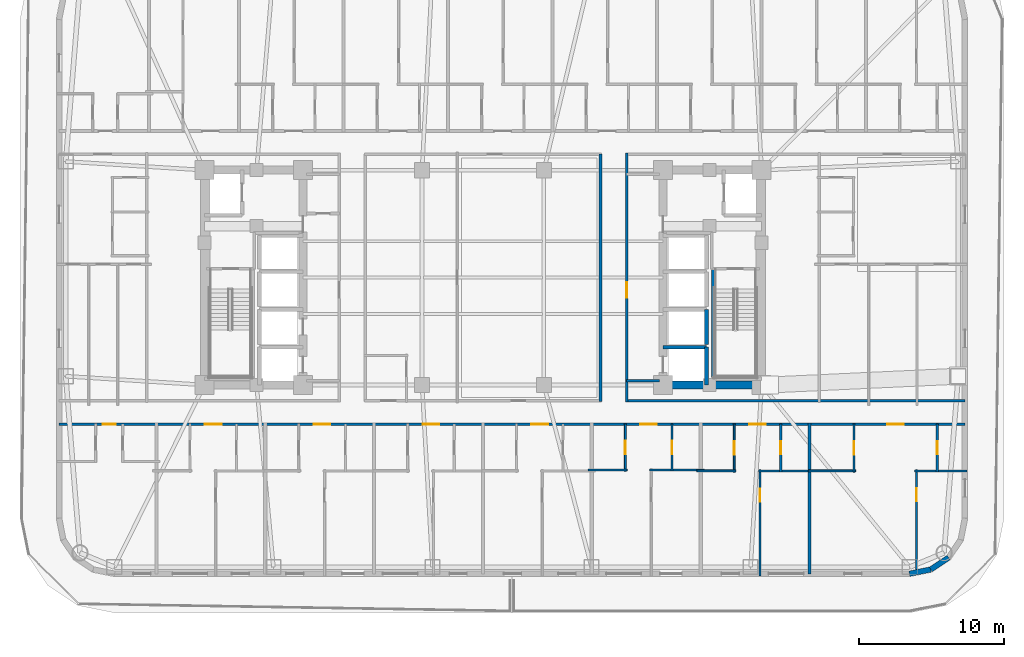
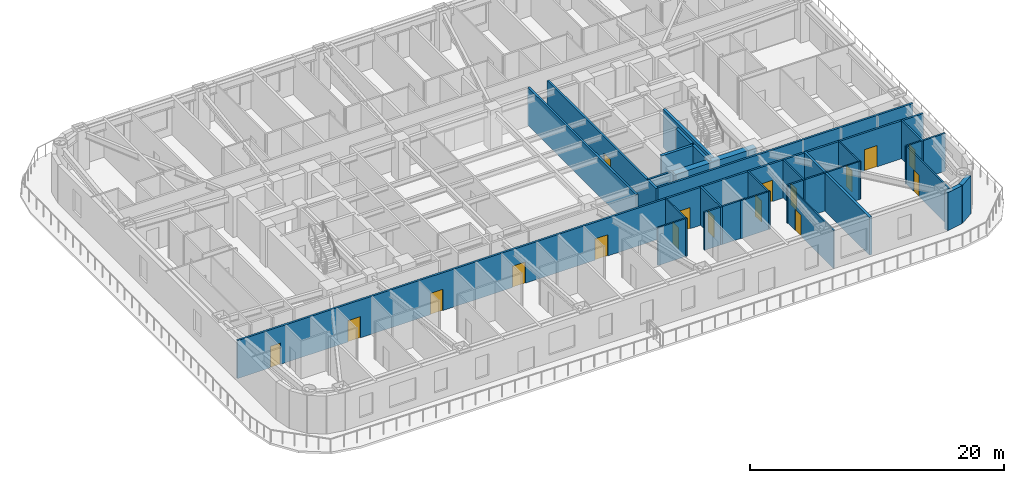
# One storey, part 6 of 16: 27 walls, 17 doors, 17 openings.
"""IFC4 building model written with IfcOpenShell, lengths in metres."""

from ifc_helpers import new_model, si_unit, direction, frame, frame_2d, origin, place, context, subcontext, project, spatial, rectangle, extrude, material, layer, layer_set, type_object, element, fill, save


model = new_model("IFC4")

# Units and contexts
model_context = context("Model", 3, precision=1e-05, world=origin(), true_north=direction((0.0, 1.0)))
body_context = subcontext(model_context, "Body", "Model", "MODEL_VIEW")
ifc_project = project(units=[si_unit("LENGTHUNIT", "METRE"), si_unit("AREAUNIT", "SQUARE_METRE"), si_unit("VOLUMEUNIT", "CUBIC_METRE"), si_unit("PLANEANGLEUNIT", "RADIAN"), si_unit("MASSUNIT", "GRAM", prefix="KILO")], contexts=[model_context])

# Site, building, storey
site_placement = place(None, origin())
site = spatial("IfcSite", under=ifc_project, at=site_placement, CompositionType="ELEMENT")
building_placement = place(site_placement, origin())
building = spatial("IfcBuilding", under=site, at=building_placement, Name="Voryun Gate Residences", CompositionType="ELEMENT")
storey_placement = place(building_placement, frame((0.0, 0.0, 113.10009765625)))
storey = spatial("IfcBuildingStorey", under=building, at=storey_placement, Name="L27", CompositionType="ELEMENT", Elevation=113.10009765625)

# Walls
ifc_material_1 = material(Name="Concrete C60/75", Category="concrete")
ifc_layer_1 = layer(ifc_material_1, 0.550048828125, Name="CW_CORE_550")
ifc_layer_set_1 = layer_set([ifc_layer_1], Name="Concrete C60/75")
wall_type_1 = type_object("IfcWallType", Name="CW_CORE_550", PredefinedType="SHEAR", material=ifc_layer_set_1)
wall_1_placement = place(storey_placement, frame((12.125, -7.39990234375, 0.0), z_axis=(0.0, 0.0, 1.0), x_axis=(1.0, 0.0, 0.0)))
element("IfcWall", 1, at=wall_1_placement, inside=storey, type_object=wall_type_1, Name="L27 Core shear wall CW-L27-ES", PredefinedType="SHEAR", context=body_context, shape_type="SweptSolid", body=[
    extrude(rectangle(XDim=7.35009765625, YDim=0.550048828125, at=frame_2d((3.675048828125, 0.0))), origin(), (0.0, 0.0, 1.0), 3.64990234375),
])
ifc_material_2 = material(Name="Gypsum acoustic fireboard")
ifc_layer_2 = layer(ifc_material_2, 0.179931640625, Name="W_CORR_RATED_180")
ifc_layer_set_2 = layer_set([ifc_layer_2], Name="Gypsum acoustic fireboard")
wall_type_2 = type_object("IfcWallType", Name="W_CORR_RATED_180", PredefinedType="PARTITIONING", material=ifc_layer_set_2)
wall_2_placement = place(storey_placement, frame((9.8798828125, -7.1201171875, 0.0), z_axis=(0.0, 0.0, 1.0), x_axis=(1.0, 0.0, 0.0)))
element("IfcWall", 2, at=wall_2_placement, inside=storey, type_object=wall_type_2, Name="Partition wall WP-L27-PLBS-E", PredefinedType="PARTITIONING", context=body_context, shape_type="SweptSolid", body=[
    extrude(rectangle(XDim=2.27001953125, YDim=0.179931640625, at=frame_2d((1.135009765625, 0.0))), origin(), (0.0, 0.0, 1.0), 3.64990234375),
])

# Wall, opening, door
wall_3_placement = place(storey_placement, frame((9.89990234375, -8.580078125, 0.0), z_axis=(0.0, 0.0, 1.0), x_axis=(0.0, 1.0, 0.0)))
wall_3 = element("IfcWall", 3, at=wall_3_placement, inside=storey, type_object=wall_type_2, Name="Partition wall WP-L27-PLBE-FULL", PredefinedType="PARTITIONING", context=body_context, shape_type="SweptSolid", body=[
    extrude(rectangle(XDim=17.16015625, YDim=0.179931640625, at=frame_2d((8.580078125, 0.0))), origin(), (0.0, 0.0, 1.0), 3.64990234375),
])
opening_1_placement = place(wall_3_placement, frame((7.172119140625, 0.0, 0.0)))
opening_1 = element("IfcOpeningElement", 4, at=opening_1_placement, cuts=wall_3, Name="Opening D-FD60-2", PredefinedType="OPENING", context=body_context, shape_type="SweptSolid", body=[
    extrude(rectangle(XDim=1.10009765625, YDim=2.050048828125, at=frame_2d((0.550048828125, 1.02490234375))), frame((0.0, 0.099853515625, 0.0), z_axis=(0.0, -1.0, 0.0), x_axis=(1.0, 0.0, 0.0)), (0.0, 0.0, 1.0), 0.199951171875),
])
ifc_material_3 = material(Name="Painted steel fire door", Category="steel")
door_type_1 = type_object("IfcDoorType", Name="DR_FD60_FFLOB_1100", OperationType="NOTDEFINED", PredefinedType="DOOR", material=ifc_material_3)
door_1_placement = place(opening_1_placement, origin())
door_1 = element("IfcDoor", 5, at=door_1_placement, inside=storey, type_object=door_type_1, Name="Door DR-L27-PLBE-COR", OperationType="SINGLE_SWING_RIGHT", OverallHeight=2.050048828125, OverallWidth=1.10009765625, PredefinedType="DOOR", context=body_context, shape_type="SweptSolid", body=[
    extrude(rectangle(XDim=1.10009765625, YDim=2.050048828125, at=frame_2d((0.550048828125, 1.02490234375))), frame((0.0, 0.02490234375, 0.0), z_axis=(0.0, -1.0, 0.0), x_axis=(1.0, 0.0, 0.0)), (0.0, 0.0, 1.0), 0.050048828125),
])
fill(opening_1, door_1)

# Walls
wall_4_placement = place(storey_placement, frame((9.8798828125, -8.489990234375, 0.0), z_axis=(0.0, 0.0, 1.0), x_axis=(1.0, 0.0, 0.0)))
element("IfcWall", 6, at=wall_4_placement, inside=storey, type_object=wall_type_2, Name="Partition wall WP-L27-CWING-ES", PredefinedType="PARTITIONING", context=body_context, shape_type="SweptSolid", body=[
    extrude(rectangle(XDim=23.330078125, YDim=0.179931640625, at=frame_2d((11.6650390625, 0.0))), origin(), (0.0, 0.0, 1.0), 3.64990234375),
])
wall_5_placement = place(storey_placement, frame((8.10009765625, -8.530029296875, 0.0), z_axis=(0.0, 0.0, 1.0), x_axis=(0.0, 1.0, 0.0)))
element("IfcWall", 7, at=wall_5_placement, inside=storey, type_object=wall_type_2, Name="Partition wall WP-L27-Z1E", PredefinedType="PARTITIONING", context=body_context, shape_type="SweptSolid", body=[
    extrude(rectangle(XDim=17.06005859375, YDim=0.179931640625, at=frame_2d((8.530029296875, 0.0))), origin(), (0.0, 0.0, 1.0), 3.64990234375),
])

# Wall, openings, doors
wall_6_placement = place(storey_placement, frame((-29.2099609375, -10.10009765625, 0.0), z_axis=(0.0, 0.0, 1.0), x_axis=(1.0, 0.0, 0.0)))
wall_6 = element("IfcWall", 8, at=wall_6_placement, inside=storey, type_object=wall_type_2, Name="Partition wall WP-L27-SCORR", PredefinedType="PARTITIONING", context=body_context, shape_type="SweptSolid", body=[
    extrude(rectangle(XDim=62.419921875, YDim=0.179931640625, at=frame_2d((31.2099609375, 0.0))), origin(), (0.0, 0.0, 1.0), 3.64990234375),
])
opening_2_placement = place(wall_6_placement, frame((3.001708984375, 0.0, 0.0)))
opening_2 = element("IfcOpeningElement", 9, at=opening_2_placement, cuts=wall_6, Name="Opening D-INT-2", PredefinedType="OPENING", context=body_context, shape_type="SweptSolid", body=[
    extrude(rectangle(XDim=0.89990234375, YDim=2.050048828125, at=frame_2d((0.449951171875, 1.02490234375))), frame((0.0, 0.099853515625, 0.0), z_axis=(0.0, -1.0, 0.0), x_axis=(1.0, 0.0, 0.0)), (0.0, 0.0, 1.0), 0.199951171875),
])
opening_3_placement = place(wall_6_placement, frame((10.048828125, 0.0, 0.0)))
opening_3 = element("IfcOpeningElement", 10, at=opening_3_placement, cuts=wall_6, Name="Opening D-UNIT-1", PredefinedType="OPENING", context=body_context, shape_type="SweptSolid", body=[
    extrude(rectangle(XDim=1.14990234375, YDim=2.050048828125, at=frame_2d((0.574951171875, 1.02490234375))), frame((0.0, 0.099853515625, 0.0), z_axis=(0.0, -1.0, 0.0), x_axis=(1.0, 0.0, 0.0)), (0.0, 0.0, 1.0), 0.199951171875),
])
opening_4_placement = place(wall_6_placement, frame((17.5517578125, 0.0, 0.0)))
opening_4 = element("IfcOpeningElement", 11, at=opening_4_placement, cuts=wall_6, Name="Opening D-UNIT-1", PredefinedType="OPENING", context=body_context, shape_type="SweptSolid", body=[
    extrude(rectangle(XDim=1.14990234375, YDim=2.050048828125, at=frame_2d((0.574951171875, 1.02490234375))), frame((0.0, 0.099853515625, 0.0), z_axis=(0.0, -1.0, 0.0), x_axis=(1.0, 0.0, 0.0)), (0.0, 0.0, 1.0), 0.199951171875),
])
opening_5_placement = place(wall_6_placement, frame((25.04833984375, 0.0, 0.0)))
opening_5 = element("IfcOpeningElement", 12, at=opening_5_placement, cuts=wall_6, Name="Opening D-UNIT-1", PredefinedType="OPENING", context=body_context, shape_type="SweptSolid", body=[
    extrude(rectangle(XDim=1.14990234375, YDim=2.050048828125, at=frame_2d((0.574951171875, 1.02490234375))), frame((0.0, 0.099853515625, 0.0), z_axis=(0.0, -1.0, 0.0), x_axis=(1.0, 0.0, 0.0)), (0.0, 0.0, 1.0), 0.199951171875),
])
opening_6_placement = place(wall_6_placement, frame((32.55126953125, 0.0, 0.0)))
opening_6 = element("IfcOpeningElement", 13, at=opening_6_placement, cuts=wall_6, Name="Opening D-UNIT-1", PredefinedType="OPENING", context=body_context, shape_type="SweptSolid", body=[
    extrude(rectangle(XDim=1.14990234375, YDim=2.050048828125, at=frame_2d((0.574951171875, 1.02490234375))), frame((0.0, 0.099853515625, 0.0), z_axis=(0.0, -1.0, 0.0), x_axis=(1.0, 0.0, 0.0)), (0.0, 0.0, 1.0), 0.199951171875),
])
opening_7_placement = place(wall_6_placement, frame((40.0478515625, 0.0, 0.0)))
opening_7 = element("IfcOpeningElement", 14, at=opening_7_placement, cuts=wall_6, Name="Opening D-UNIT-1", PredefinedType="OPENING", context=body_context, shape_type="SweptSolid", body=[
    extrude(rectangle(XDim=1.14990234375, YDim=2.050048828125, at=frame_2d((0.574951171875, 1.02490234375))), frame((0.0, 0.099853515625, 0.0), z_axis=(0.0, -1.0, 0.0), x_axis=(1.0, 0.0, 0.0)), (0.0, 0.0, 1.0), 0.199951171875),
])
opening_8_placement = place(wall_6_placement, frame((47.55078125, 0.0, 0.0)))
opening_8 = element("IfcOpeningElement", 15, at=opening_8_placement, cuts=wall_6, Name="Opening D-UNIT-1", PredefinedType="OPENING", context=body_context, shape_type="SweptSolid", body=[
    extrude(rectangle(XDim=1.14990234375, YDim=2.050048828125, at=frame_2d((0.574951171875, 1.02490234375))), frame((0.0, 0.099853515625, 0.0), z_axis=(0.0, -1.0, 0.0), x_axis=(1.0, 0.0, 0.0)), (0.0, 0.0, 1.0), 0.199951171875),
])
opening_9_placement = place(wall_6_placement, frame((57.063720703125, 0.0, 0.0)))
opening_9 = element("IfcOpeningElement", 16, at=opening_9_placement, cuts=wall_6, Name="Opening D-UNIT-1", PredefinedType="OPENING", context=body_context, shape_type="SweptSolid", body=[
    extrude(rectangle(XDim=1.14990234375, YDim=2.050048828125, at=frame_2d((0.574951171875, 1.02490234375))), frame((0.0, 0.099853515625, 0.0), z_axis=(0.0, -1.0, 0.0), x_axis=(1.0, 0.0, 0.0)), (0.0, 0.0, 1.0), 0.199951171875),
])
ifc_material_4 = material(Name="Architectural oak veneer")
door_type_2 = type_object("IfcDoorType", Name="DR_INT_BATH_900", OperationType="NOTDEFINED", PredefinedType="DOOR", material=ifc_material_4)
door_2_placement = place(opening_2_placement, origin())
door_2 = element("IfcDoor", 17, at=door_2_placement, inside=storey, type_object=door_type_2, Name="Door DR-L27-SENT-1", OperationType="SINGLE_SWING_RIGHT", OverallHeight=2.050048828125, OverallWidth=0.89990234375, PredefinedType="DOOR", context=body_context, shape_type="SweptSolid", body=[
    extrude(rectangle(XDim=0.89990234375, YDim=2.050048828125, at=frame_2d((0.449951171875, 1.02490234375))), frame((0.0, 0.02490234375, 0.0), z_axis=(0.0, -1.0, 0.0), x_axis=(1.0, 0.0, 0.0)), (0.0, 0.0, 1.0), 0.050048828125),
])
fill(opening_2, door_2)
ifc_material_5 = material(Name="Armoured timber-clad fire door", Category="wood")
door_type_3 = type_object("IfcDoorType", Name="DR_UNIT_ENTRY_1150", OperationType="NOTDEFINED", PredefinedType="DOOR", material=ifc_material_5)
door_3_placement = place(opening_3_placement, origin())
door_3 = element("IfcDoor", 18, at=door_3_placement, inside=storey, type_object=door_type_3, Name="Door DR-L27-SENT-2", OperationType="SINGLE_SWING_LEFT", OverallHeight=2.050048828125, OverallWidth=1.14990234375, PredefinedType="DOOR", context=body_context, shape_type="SweptSolid", body=[
    extrude(rectangle(XDim=1.14990234375, YDim=2.050048828125, at=frame_2d((0.574951171875, 1.02490234375))), frame((0.0, 0.02490234375, 0.0), z_axis=(0.0, -1.0, 0.0), x_axis=(1.0, 0.0, 0.0)), (0.0, 0.0, 1.0), 0.050048828125),
])
fill(opening_3, door_3)
door_4_placement = place(opening_4_placement, origin())
door_4 = element("IfcDoor", 19, at=door_4_placement, inside=storey, type_object=door_type_3, Name="Door DR-L27-SENT-3", OperationType="SINGLE_SWING_RIGHT", OverallHeight=2.050048828125, OverallWidth=1.14990234375, PredefinedType="DOOR", context=body_context, shape_type="SweptSolid", body=[
    extrude(rectangle(XDim=1.14990234375, YDim=2.050048828125, at=frame_2d((0.574951171875, 1.02490234375))), frame((0.0, 0.02490234375, 0.0), z_axis=(0.0, -1.0, 0.0), x_axis=(1.0, 0.0, 0.0)), (0.0, 0.0, 1.0), 0.050048828125),
])
fill(opening_4, door_4)
door_5_placement = place(opening_5_placement, origin())
door_5 = element("IfcDoor", 20, at=door_5_placement, inside=storey, type_object=door_type_3, Name="Door DR-L27-SENT-4", OperationType="SINGLE_SWING_LEFT", OverallHeight=2.050048828125, OverallWidth=1.14990234375, PredefinedType="DOOR", context=body_context, shape_type="SweptSolid", body=[
    extrude(rectangle(XDim=1.14990234375, YDim=2.050048828125, at=frame_2d((0.574951171875, 1.02490234375))), frame((0.0, 0.02490234375, 0.0), z_axis=(0.0, -1.0, 0.0), x_axis=(1.0, 0.0, 0.0)), (0.0, 0.0, 1.0), 0.050048828125),
])
fill(opening_5, door_5)
door_6_placement = place(opening_6_placement, origin())
door_6 = element("IfcDoor", 21, at=door_6_placement, inside=storey, type_object=door_type_3, Name="Door DR-L27-SENT-5", OperationType="SINGLE_SWING_RIGHT", OverallHeight=2.050048828125, OverallWidth=1.14990234375, PredefinedType="DOOR", context=body_context, shape_type="SweptSolid", body=[
    extrude(rectangle(XDim=1.14990234375, YDim=2.050048828125, at=frame_2d((0.574951171875, 1.02490234375))), frame((0.0, 0.02490234375, 0.0), z_axis=(0.0, -1.0, 0.0), x_axis=(1.0, 0.0, 0.0)), (0.0, 0.0, 1.0), 0.050048828125),
])
fill(opening_6, door_6)
door_7_placement = place(opening_7_placement, origin())
door_7 = element("IfcDoor", 22, at=door_7_placement, inside=storey, type_object=door_type_3, Name="Door DR-L27-SENT-6", OperationType="SINGLE_SWING_LEFT", OverallHeight=2.050048828125, OverallWidth=1.14990234375, PredefinedType="DOOR", context=body_context, shape_type="SweptSolid", body=[
    extrude(rectangle(XDim=1.14990234375, YDim=2.050048828125, at=frame_2d((0.574951171875, 1.02490234375))), frame((0.0, 0.02490234375, 0.0), z_axis=(0.0, -1.0, 0.0), x_axis=(1.0, 0.0, 0.0)), (0.0, 0.0, 1.0), 0.050048828125),
])
fill(opening_7, door_7)
door_8_placement = place(opening_8_placement, origin())
door_8 = element("IfcDoor", 23, at=door_8_placement, inside=storey, type_object=door_type_3, Name="Door DR-L27-SENT-7", OperationType="SINGLE_SWING_RIGHT", OverallHeight=2.050048828125, OverallWidth=1.14990234375, PredefinedType="DOOR", context=body_context, shape_type="SweptSolid", body=[
    extrude(rectangle(XDim=1.14990234375, YDim=2.050048828125, at=frame_2d((0.574951171875, 1.02490234375))), frame((0.0, 0.02490234375, 0.0), z_axis=(0.0, -1.0, 0.0), x_axis=(1.0, 0.0, 0.0)), (0.0, 0.0, 1.0), 0.050048828125),
])
fill(opening_8, door_8)
door_9_placement = place(opening_9_placement, origin())
door_9 = element("IfcDoor", 24, at=door_9_placement, inside=storey, type_object=door_type_3, Name="Door DR-L27-SENT-8", OperationType="SINGLE_SWING_LEFT", OverallHeight=2.050048828125, OverallWidth=1.14990234375, PredefinedType="DOOR", context=body_context, shape_type="SweptSolid", body=[
    extrude(rectangle(XDim=1.14990234375, YDim=2.050048828125, at=frame_2d((0.574951171875, 1.02490234375))), frame((0.0, 0.02490234375, 0.0), z_axis=(0.0, -1.0, 0.0), x_axis=(1.0, 0.0, 0.0)), (0.0, 0.0, 1.0), 0.050048828125),
])
fill(opening_9, door_9)

# Walls
ifc_material_6 = material(Name="Granite masonry", Category="masonry")
ifc_layer_3 = layer(ifc_material_6, 0.3798828125, Name="W_EXT_GRANITE_380")
ifc_layer_set_3 = layer_set([ifc_layer_3], Name="Granite masonry")
wall_type_3 = type_object("IfcWallType", Name="W_EXT_GRANITE_380", PredefinedType="ELEMENTEDWALL", material=ifc_layer_set_3)
wall_7_placement = place(storey_placement, frame((32.09130859375, -19.29150390625, 0.0), z_axis=(0.0, 0.0, 1.0), x_axis=(-0.831468045563, -0.555572577804, 0.0)))
element("IfcWall", 25, at=wall_7_placement, inside=storey, type_object=wall_type_3, Name="Exterior wall WEXT-L27-19", PredefinedType="ELEMENTEDWALL", context=body_context, shape_type="SweptSolid", body=[
    extrude(rectangle(XDim=1.48486328125, YDim=0.3798828125, at=frame_2d((0.742431640625, 0.0))), origin(), (0.0, 0.0, 1.0), 3.64990234375),
])
wall_8_placement = place(storey_placement, frame((30.856689453125, -20.116455078125, 0.0), z_axis=(0.0, 0.0, 1.0), x_axis=(-0.980786132421, -0.195086038585, 0.0)))
element("IfcWall", 26, at=wall_8_placement, inside=storey, type_object=wall_type_3, Name="Exterior wall WEXT-L27-20", PredefinedType="ELEMENTEDWALL", context=body_context, shape_type="SweptSolid", body=[
    extrude(rectangle(XDim=1.504150390625, YDim=0.3798828125, at=frame_2d((0.751953125, 0.0))), origin(), (0.0, 0.0, 1.0), 3.64990234375),
])
ifc_material_7 = material(Name="Concrete C40/50", Category="concrete")
ifc_layer_4 = layer(ifc_material_7, 0.219970703125, Name="W_PARTY_ACOUSTIC_220")
ifc_layer_set_4 = layer_set([ifc_layer_4], Name="Concrete C40/50")
wall_type_4 = type_object("IfcWallType", Name="W_PARTY_ACOUSTIC_220", PredefinedType="PARTITIONING", material=ifc_layer_set_4)
wall_9_placement = place(storey_placement, frame((22.5, -20.409912109375, 0.0), z_axis=(0.0, 0.0, 1.0), x_axis=(0.0, 1.0, 0.0)))
element("IfcWall", 27, at=wall_9_placement, inside=storey, type_object=wall_type_4, Name="Partition wall WP-L27-SPTY-7", PredefinedType="PARTITIONING", context=body_context, shape_type="SweptSolid", body=[
    extrude(rectangle(XDim=10.389892578125, YDim=0.219970703125, at=frame_2d((5.19482421875, 0.0))), origin(), (0.0, 0.0, 1.0), 3.64990234375),
])
ifc_material_8 = material(Name="Concrete C50/60", Category="concrete")
ifc_layer_5 = layer(ifc_material_8, 0.25, Name="W_SHAFT_RC250")
ifc_layer_set_5 = layer_set([ifc_layer_5], Name="Concrete C50/60")
wall_type_5 = type_object("IfcWallType", Name="W_SHAFT_RC250", PredefinedType="SOLIDWALL", material=ifc_layer_set_5)
wall_10_placement = place(storey_placement, frame((15.860107421875, -7.0849609375, 0.0), z_axis=(0.0, 0.0, 1.0), x_axis=(0.0, 1.0, 0.0)))
element("IfcWall", 28, at=wall_10_placement, inside=storey, type_object=wall_type_5, Name="L27 Stair shaft structural wall E-STL", PredefinedType="SOLIDWALL", context=body_context, shape_type="SweptSolid", body=[
    extrude(rectangle(XDim=7.68505859375, YDim=0.25, at=frame_2d((3.842529296875, 0.0))), origin(), (0.0, 0.0, 1.0), 3.64990234375),
])
wall_11_placement = place(storey_placement, frame((15.39990234375, -7.39990234375, 0.0), z_axis=(0.0, 0.0, 1.0), x_axis=(0.0, 1.0, 0.0)))
element("IfcWall", 29, at=wall_11_placement, inside=storey, type_object=wall_type_5, Name="Lift shaft wall WSH-L27-EL-P3-E", PredefinedType="SOLIDWALL", context=body_context, shape_type="SweptSolid", body=[
    extrude(rectangle(XDim=2.599853515625, YDim=0.25, at=frame_2d((1.2998046875, 0.0))), origin(), (0.0, 0.0, 1.0), 3.64990234375),
])
wall_12_placement = place(storey_placement, frame((15.39990234375, -4.800048828125, 0.0), z_axis=(0.0, 0.0, 1.0), x_axis=(-1.0, 0.0, 0.0)))
element("IfcWall", 30, at=wall_12_placement, inside=storey, type_object=wall_type_5, Name="Lift shaft wall WSH-L27-EL-P3-N", PredefinedType="SOLIDWALL", context=body_context, shape_type="SweptSolid", body=[
    extrude(rectangle(XDim=3.0, YDim=0.25, at=frame_2d((1.5, 0.0))), origin(), (0.0, 0.0, 1.0), 3.64990234375),
])
wall_13_placement = place(storey_placement, frame((15.39990234375, -4.60009765625, 0.0), z_axis=(0.0, 0.0, 1.0), x_axis=(0.0, 1.0, 0.0)))
element("IfcWall", 31, at=wall_13_placement, inside=storey, type_object=wall_type_5, Name="Lift shaft wall WSH-L27-EL-P5-E", PredefinedType="SOLIDWALL", context=body_context, shape_type="SweptSolid", body=[
    extrude(rectangle(XDim=2.400146484375, YDim=0.25, at=frame_2d((1.2001953125, 0.0))), origin(), (0.0, 0.0, 1.0), 3.64990234375),
])

# Wall, opening, door
ifc_material_9 = material(Name="Gypsum acoustic partition")
ifc_layer_6 = layer(ifc_material_9, 0.125, Name="W_UNIT_PART_125")
ifc_layer_set_6 = layer_set([ifc_layer_6], Name="Gypsum acoustic partition")
wall_type_6 = type_object("IfcWallType", Name="W_UNIT_PART_125", PredefinedType="PARTITIONING", material=ifc_layer_set_6)
wall_14_placement = place(storey_placement, frame((9.81005859375, -13.341064453125, 0.0), z_axis=(0.0, 0.0, 1.0), x_axis=(0.0, 1.0, 0.0)))
wall_14 = element("IfcWall", 32, at=wall_14_placement, inside=storey, type_object=wall_type_6, Name="Partition wall WP-L27-S6-IVK", PredefinedType="PARTITIONING", context=body_context, shape_type="SweptSolid", body=[
    extrude(rectangle(XDim=3.260986328125, YDim=0.125, at=frame_2d((1.63037109375, 0.0))), origin(), (0.0, 0.0, 1.0), 3.64990234375),
])
opening_10_placement = place(wall_14_placement, frame((1.155517578125, 0.0, 0.0)))
opening_10 = element("IfcOpeningElement", 33, at=opening_10_placement, cuts=wall_14, Name="Opening D-INT-1", PredefinedType="OPENING", context=body_context, shape_type="SweptSolid", body=[
    extrude(rectangle(XDim=0.949951171875, YDim=2.050048828125, at=frame_2d((0.47509765625, 1.02490234375))), frame((0.0, 0.072509765625, 0.0), z_axis=(0.0, -1.0, 0.0), x_axis=(1.0, 0.0, 0.0)), (0.0, 0.0, 1.0), 0.14501953125),
])
ifc_material_10 = material(Name="Architectural oak veneer")
door_type_4 = type_object("IfcDoorType", Name="DR_INT_ROOM_950", OperationType="NOTDEFINED", PredefinedType="DOOR", material=ifc_material_10)
door_10_placement = place(opening_10_placement, origin())
door_10 = element("IfcDoor", 34, at=door_10_placement, inside=storey, type_object=door_type_4, Name="Door DR-L27-S6-DK", OperationType="SINGLE_SWING_LEFT", OverallHeight=2.050048828125, OverallWidth=0.949951171875, PredefinedType="DOOR", context=body_context, shape_type="SweptSolid", body=[
    extrude(rectangle(XDim=0.949951171875, YDim=2.050048828125, at=frame_2d((0.47509765625, 1.02490234375))), frame((0.0, 0.02490234375, 0.0), z_axis=(0.0, -1.0, 0.0), x_axis=(1.0, 0.0, 0.0)), (0.0, 0.0, 1.0), 0.050048828125),
])
fill(opening_10, door_10)

# Wall
wall_15_placement = place(storey_placement, frame((7.239990234375, -13.260986328125, 0.0), z_axis=(0.0, 0.0, 1.0), x_axis=(1.0, 0.0, 0.0)))
element("IfcWall", 35, at=wall_15_placement, inside=storey, type_object=wall_type_6, Name="Partition wall WP-L27-S6-HZK", PredefinedType="PARTITIONING", context=body_context, shape_type="SweptSolid", body=[
    extrude(rectangle(XDim=2.68994140625, YDim=0.125, at=frame_2d((1.344970703125, 0.0))), origin(), (0.0, 0.0, 1.0), 3.64990234375),
])

# Wall, opening, door
wall_16_placement = place(storey_placement, frame((19.090087890625, -20.56005859375, 0.0), z_axis=(0.0, 0.0, 1.0), x_axis=(0.0, 1.0, 0.0)))
wall_16 = element("IfcWall", 36, at=wall_16_placement, inside=storey, type_object=wall_type_6, Name="Partition wall WP-L27-S7-OVR", PredefinedType="PARTITIONING", context=body_context, shape_type="SweptSolid", body=[
    extrude(rectangle(XDim=7.320068359375, YDim=0.125, at=frame_2d((3.66015625, 0.0))), origin(), (0.0, 0.0, 1.0), 3.64990234375),
])
opening_11_placement = place(wall_16_placement, frame((5.11328125, 0.0, 0.0)))
opening_11 = element("IfcOpeningElement", 37, at=opening_11_placement, cuts=wall_16, Name="Opening D-INT-2", PredefinedType="OPENING", context=body_context, shape_type="SweptSolid", body=[
    extrude(rectangle(XDim=0.89990234375, YDim=2.050048828125, at=frame_2d((0.449951171875, 1.02490234375))), frame((0.0, 0.072509765625, 0.0), z_axis=(0.0, -1.0, 0.0), x_axis=(1.0, 0.0, 0.0)), (0.0, 0.0, 1.0), 0.14501953125),
])
door_11_placement = place(opening_11_placement, origin())
door_11 = element("IfcDoor", 38, at=door_11_placement, inside=storey, type_object=door_type_2, Name="Door DR-L27-S7-DMB", OperationType="SINGLE_SWING_RIGHT", OverallHeight=2.050048828125, OverallWidth=0.89990234375, PredefinedType="DOOR", context=body_context, shape_type="SweptSolid", body=[
    extrude(rectangle(XDim=0.89990234375, YDim=2.050048828125, at=frame_2d((0.449951171875, 1.02490234375))), frame((0.0, 0.02490234375, 0.0), z_axis=(0.0, -1.0, 0.0), x_axis=(1.0, 0.0, 0.0)), (0.0, 0.0, 1.0), 0.050048828125),
])
fill(opening_11, door_11)

wall_17_placement = place(storey_placement, frame((17.31005859375, -13.39990234375, 0.0), z_axis=(0.0, 0.0, 1.0), x_axis=(0.0, 1.0, 0.0)))
wall_17 = element("IfcWall", 39, at=wall_17_placement, inside=storey, type_object=wall_type_6, Name="Partition wall WP-L27-S7-IVK", PredefinedType="PARTITIONING", context=body_context, shape_type="SweptSolid", body=[
    extrude(rectangle(XDim=3.31982421875, YDim=0.125, at=frame_2d((1.659912109375, 0.0))), origin(), (0.0, 0.0, 1.0), 3.64990234375),
])
opening_12_placement = place(wall_17_placement, frame((1.18505859375, 0.0, 0.0)))
opening_12 = element("IfcOpeningElement", 40, at=opening_12_placement, cuts=wall_17, Name="Opening D-INT-1", PredefinedType="OPENING", context=body_context, shape_type="SweptSolid", body=[
    extrude(rectangle(XDim=0.949951171875, YDim=2.050048828125, at=frame_2d((0.47509765625, 1.02490234375))), frame((0.0, 0.072509765625, 0.0), z_axis=(0.0, -1.0, 0.0), x_axis=(1.0, 0.0, 0.0)), (0.0, 0.0, 1.0), 0.14501953125),
])
door_12_placement = place(opening_12_placement, origin())
door_12 = element("IfcDoor", 41, at=door_12_placement, inside=storey, type_object=door_type_4, Name="Door DR-L27-S7-DK", OperationType="SINGLE_SWING_LEFT", OverallHeight=2.050048828125, OverallWidth=0.949951171875, PredefinedType="DOOR", context=body_context, shape_type="SweptSolid", body=[
    extrude(rectangle(XDim=0.949951171875, YDim=2.050048828125, at=frame_2d((0.47509765625, 1.02490234375))), frame((0.0, 0.02490234375, 0.0), z_axis=(0.0, -1.0, 0.0), x_axis=(1.0, 0.0, 0.0)), (0.0, 0.0, 1.0), 0.050048828125),
])
fill(opening_12, door_12)

# Wall
wall_18_placement = place(storey_placement, frame((14.739990234375, -13.320068359375, 0.0), z_axis=(0.0, 0.0, 1.0), x_axis=(1.0, 0.0, 0.0)))
element("IfcWall", 42, at=wall_18_placement, inside=storey, type_object=wall_type_6, Name="Partition wall WP-L27-S7-HZK", PredefinedType="PARTITIONING", context=body_context, shape_type="SweptSolid", body=[
    extrude(rectangle(XDim=2.68994140625, YDim=0.125, at=frame_2d((1.344970703125, 0.0))), origin(), (0.0, 0.0, 1.0), 3.64990234375),
])

# Wall, opening, door
wall_19_placement = place(storey_placement, frame((29.867919921875, -20.466064453125, 0.0), z_axis=(0.0, 0.0, 1.0), x_axis=(0.0, 1.0, 0.0)))
wall_19 = element("IfcWall", 43, at=wall_19_placement, inside=storey, type_object=wall_type_6, Name="Partition wall WP-L27-S8-OVR", PredefinedType="PARTITIONING", context=body_context, shape_type="SweptSolid", body=[
    extrude(rectangle(XDim=7.22607421875, YDim=0.125, at=frame_2d((3.613037109375, 0.0))), origin(), (0.0, 0.0, 1.0), 3.64990234375),
])
opening_13_placement = place(wall_19_placement, frame((5.041748046875, 0.0, 0.0)))
opening_13 = element("IfcOpeningElement", 44, at=opening_13_placement, cuts=wall_19, Name="Opening D-INT-2", PredefinedType="OPENING", context=body_context, shape_type="SweptSolid", body=[
    extrude(rectangle(XDim=0.89990234375, YDim=2.050048828125, at=frame_2d((0.449951171875, 1.02490234375))), frame((0.0, 0.072509765625, 0.0), z_axis=(0.0, -1.0, 0.0), x_axis=(1.0, 0.0, 0.0)), (0.0, 0.0, 1.0), 0.14501953125),
])
door_13_placement = place(opening_13_placement, origin())
door_13 = element("IfcDoor", 45, at=door_13_placement, inside=storey, type_object=door_type_2, Name="Door DR-L27-S8-DMB", OperationType="SINGLE_SWING_RIGHT", OverallHeight=2.050048828125, OverallWidth=0.89990234375, PredefinedType="DOOR", context=body_context, shape_type="SweptSolid", body=[
    extrude(rectangle(XDim=0.89990234375, YDim=2.050048828125, at=frame_2d((0.449951171875, 1.02490234375))), frame((0.0, 0.02490234375, 0.0), z_axis=(0.0, -1.0, 0.0), x_axis=(1.0, 0.0, 0.0)), (0.0, 0.0, 1.0), 0.050048828125),
])
fill(opening_13, door_13)

wall_20_placement = place(storey_placement, frame((25.56494140625, -13.39990234375, 0.0), z_axis=(0.0, 0.0, 1.0), x_axis=(0.0, 1.0, 0.0)))
wall_20 = element("IfcWall", 46, at=wall_20_placement, inside=storey, type_object=wall_type_6, Name="Partition wall WP-L27-S8-IVK", PredefinedType="PARTITIONING", context=body_context, shape_type="SweptSolid", body=[
    extrude(rectangle(XDim=3.31982421875, YDim=0.125, at=frame_2d((1.659912109375, 0.0))), origin(), (0.0, 0.0, 1.0), 3.64990234375),
])
opening_14_placement = place(wall_20_placement, frame((1.18505859375, 0.0, 0.0)))
opening_14 = element("IfcOpeningElement", 47, at=opening_14_placement, cuts=wall_20, Name="Opening D-INT-1", PredefinedType="OPENING", context=body_context, shape_type="SweptSolid", body=[
    extrude(rectangle(XDim=0.949951171875, YDim=2.050048828125, at=frame_2d((0.47509765625, 1.02490234375))), frame((0.0, 0.072509765625, 0.0), z_axis=(0.0, -1.0, 0.0), x_axis=(1.0, 0.0, 0.0)), (0.0, 0.0, 1.0), 0.14501953125),
])
door_14_placement = place(opening_14_placement, origin())
door_14 = element("IfcDoor", 48, at=door_14_placement, inside=storey, type_object=door_type_4, Name="Door DR-L27-S8-DK", OperationType="SINGLE_SWING_LEFT", OverallHeight=2.050048828125, OverallWidth=0.949951171875, PredefinedType="DOOR", context=body_context, shape_type="SweptSolid", body=[
    extrude(rectangle(XDim=0.949951171875, YDim=2.050048828125, at=frame_2d((0.47509765625, 1.02490234375))), frame((0.0, 0.02490234375, 0.0), z_axis=(0.0, -1.0, 0.0), x_axis=(1.0, 0.0, 0.0)), (0.0, 0.0, 1.0), 0.050048828125),
])
fill(opening_14, door_14)

# Walls
wall_21_placement = place(storey_placement, frame((22.425048828125, -13.320068359375, 0.0), z_axis=(0.0, 0.0, 1.0), x_axis=(1.0, 0.0, 0.0)))
element("IfcWall", 49, at=wall_21_placement, inside=storey, type_object=wall_type_6, Name="Partition wall WP-L27-S8-HZK", PredefinedType="PARTITIONING", context=body_context, shape_type="SweptSolid", body=[
    extrude(rectangle(XDim=3.260009765625, YDim=0.125, at=frame_2d((1.6298828125, 0.0))), origin(), (0.0, 0.0, 1.0), 3.64990234375),
])
ifc_material_11 = material(Name="Gypsum moisture-resistant partition")
ifc_layer_7 = layer(ifc_material_11, 0.14990234375, Name="W_WET_PLUMB_150")
ifc_layer_set_7 = layer_set([ifc_layer_7], Name="Gypsum moisture-resistant partition")
wall_type_7 = type_object("IfcWallType", Name="W_WET_PLUMB_150", PredefinedType="PLUMBINGWALL", material=ifc_layer_set_7)
wall_22_placement = place(storey_placement, frame((11.469970703125, -13.260986328125, 0.0), z_axis=(0.0, 0.0, 1.0), x_axis=(1.0, 0.0, 0.0)))
element("IfcWall", 50, at=wall_22_placement, inside=storey, type_object=wall_type_7, Name="Partition wall WP-L27-S6-HZB", PredefinedType="PLUMBINGWALL", context=body_context, shape_type="SweptSolid", body=[
    extrude(rectangle(XDim=3.7900390625, YDim=0.14990234375, at=frame_2d((1.89501953125, 0.0))), origin(), (0.0, 0.0, 1.0), 3.64990234375),
])

# Wall, opening, door
wall_23_placement = place(storey_placement, frame((13.02001953125, -13.341064453125, 0.0), z_axis=(0.0, 0.0, 1.0), x_axis=(0.0, 1.0, 0.0)))
wall_23 = element("IfcWall", 51, at=wall_23_placement, inside=storey, type_object=wall_type_7, Name="Partition wall WP-L27-S6-IVB", PredefinedType="PLUMBINGWALL", context=body_context, shape_type="SweptSolid", body=[
    extrude(rectangle(XDim=3.260986328125, YDim=0.14990234375, at=frame_2d((1.63037109375, 0.0))), origin(), (0.0, 0.0, 1.0), 3.64990234375),
])
opening_15_placement = place(wall_23_placement, frame((1.180419921875, 0.0, 0.0)))
opening_15 = element("IfcOpeningElement", 52, at=opening_15_placement, cuts=wall_23, Name="Opening D-INT-2", PredefinedType="OPENING", context=body_context, shape_type="SweptSolid", body=[
    extrude(rectangle(XDim=0.89990234375, YDim=2.050048828125, at=frame_2d((0.449951171875, 1.02490234375))), frame((0.0, 0.0849609375, 0.0), z_axis=(0.0, -1.0, 0.0), x_axis=(1.0, 0.0, 0.0)), (0.0, 0.0, 1.0), 0.169921875),
])
door_15_placement = place(opening_15_placement, origin())
door_15 = element("IfcDoor", 53, at=door_15_placement, inside=storey, type_object=door_type_2, Name="Door DR-L27-S6-DB", OperationType="SINGLE_SWING_RIGHT", OverallHeight=2.050048828125, OverallWidth=0.89990234375, PredefinedType="DOOR", context=body_context, shape_type="SweptSolid", body=[
    extrude(rectangle(XDim=0.89990234375, YDim=2.050048828125, at=frame_2d((0.449951171875, 1.02490234375))), frame((0.0, 0.02490234375, 0.0), z_axis=(0.0, -1.0, 0.0), x_axis=(1.0, 0.0, 0.0)), (0.0, 0.0, 1.0), 0.050048828125),
])
fill(opening_15, door_15)

# Wall
wall_24_placement = place(storey_placement, frame((18.969970703125, -13.320068359375, 0.0), z_axis=(0.0, 0.0, 1.0), x_axis=(1.0, 0.0, 0.0)))
element("IfcWall", 54, at=wall_24_placement, inside=storey, type_object=wall_type_7, Name="Partition wall WP-L27-S7-HZB", PredefinedType="PLUMBINGWALL", context=body_context, shape_type="SweptSolid", body=[
    extrude(rectangle(XDim=3.60498046875, YDim=0.14990234375, at=frame_2d((1.802490234375, 0.0))), origin(), (0.0, 0.0, 1.0), 3.64990234375),
])

# Wall, opening, door
wall_25_placement = place(storey_placement, frame((20.52001953125, -13.39990234375, 0.0), z_axis=(0.0, 0.0, 1.0), x_axis=(0.0, 1.0, 0.0)))
wall_25 = element("IfcWall", 55, at=wall_25_placement, inside=storey, type_object=wall_type_7, Name="Partition wall WP-L27-S7-IVB", PredefinedType="PLUMBINGWALL", context=body_context, shape_type="SweptSolid", body=[
    extrude(rectangle(XDim=3.31982421875, YDim=0.14990234375, at=frame_2d((1.659912109375, 0.0))), origin(), (0.0, 0.0, 1.0), 3.64990234375),
])
opening_16_placement = place(wall_25_placement, frame((1.2099609375, 0.0, 0.0)))
opening_16 = element("IfcOpeningElement", 56, at=opening_16_placement, cuts=wall_25, Name="Opening D-INT-2", PredefinedType="OPENING", context=body_context, shape_type="SweptSolid", body=[
    extrude(rectangle(XDim=0.89990234375, YDim=2.050048828125, at=frame_2d((0.449951171875, 1.02490234375))), frame((0.0, 0.0849609375, 0.0), z_axis=(0.0, -1.0, 0.0), x_axis=(1.0, 0.0, 0.0)), (0.0, 0.0, 1.0), 0.169921875),
])
door_16_placement = place(opening_16_placement, origin())
door_16 = element("IfcDoor", 57, at=door_16_placement, inside=storey, type_object=door_type_2, Name="Door DR-L27-S7-DB", OperationType="SINGLE_SWING_RIGHT", OverallHeight=2.050048828125, OverallWidth=0.89990234375, PredefinedType="DOOR", context=body_context, shape_type="SweptSolid", body=[
    extrude(rectangle(XDim=0.89990234375, YDim=2.050048828125, at=frame_2d((0.449951171875, 1.02490234375))), frame((0.0, 0.02490234375, 0.0), z_axis=(0.0, -1.0, 0.0), x_axis=(1.0, 0.0, 0.0)), (0.0, 0.0, 1.0), 0.050048828125),
])
fill(opening_16, door_16)

# Wall
wall_26_placement = place(storey_placement, frame((29.748046875, -13.320068359375, 0.0), z_axis=(0.0, 0.0, 1.0), x_axis=(1.0, 0.0, 0.0)))
element("IfcWall", 58, at=wall_26_placement, inside=storey, type_object=wall_type_7, Name="Partition wall WP-L27-S8-HZB", PredefinedType="PLUMBINGWALL", context=body_context, shape_type="SweptSolid", body=[
    extrude(rectangle(XDim=3.612060546875, YDim=0.14990234375, at=frame_2d((1.80615234375, 0.0))), origin(), (0.0, 0.0, 1.0), 3.64990234375),
])

# Wall, opening, door
wall_27_placement = place(storey_placement, frame((31.298095703125, -13.39990234375, 0.0), z_axis=(0.0, 0.0, 1.0), x_axis=(0.0, 1.0, 0.0)))
wall_27 = element("IfcWall", 59, at=wall_27_placement, inside=storey, type_object=wall_type_7, Name="Partition wall WP-L27-S8-IVB", PredefinedType="PLUMBINGWALL", context=body_context, shape_type="SweptSolid", body=[
    extrude(rectangle(XDim=3.31982421875, YDim=0.14990234375, at=frame_2d((1.659912109375, 0.0))), origin(), (0.0, 0.0, 1.0), 3.64990234375),
])
opening_17_placement = place(wall_27_placement, frame((1.2099609375, 0.0, 0.0)))
opening_17 = element("IfcOpeningElement", 60, at=opening_17_placement, cuts=wall_27, Name="Opening D-INT-2", PredefinedType="OPENING", context=body_context, shape_type="SweptSolid", body=[
    extrude(rectangle(XDim=0.89990234375, YDim=2.050048828125, at=frame_2d((0.449951171875, 1.02490234375))), frame((0.0, 0.0849609375, 0.0), z_axis=(0.0, -1.0, 0.0), x_axis=(1.0, 0.0, 0.0)), (0.0, 0.0, 1.0), 0.169921875),
])
door_17_placement = place(opening_17_placement, origin())
door_17 = element("IfcDoor", 61, at=door_17_placement, inside=storey, type_object=door_type_2, Name="Door DR-L27-S8-DB", OperationType="SINGLE_SWING_RIGHT", OverallHeight=2.050048828125, OverallWidth=0.89990234375, PredefinedType="DOOR", context=body_context, shape_type="SweptSolid", body=[
    extrude(rectangle(XDim=0.89990234375, YDim=2.050048828125, at=frame_2d((0.449951171875, 1.02490234375))), frame((0.0, 0.02490234375, 0.0), z_axis=(0.0, -1.0, 0.0), x_axis=(1.0, 0.0, 0.0)), (0.0, 0.0, 1.0), 0.050048828125),
])
fill(opening_17, door_17)

save(model, "model.ifc")
